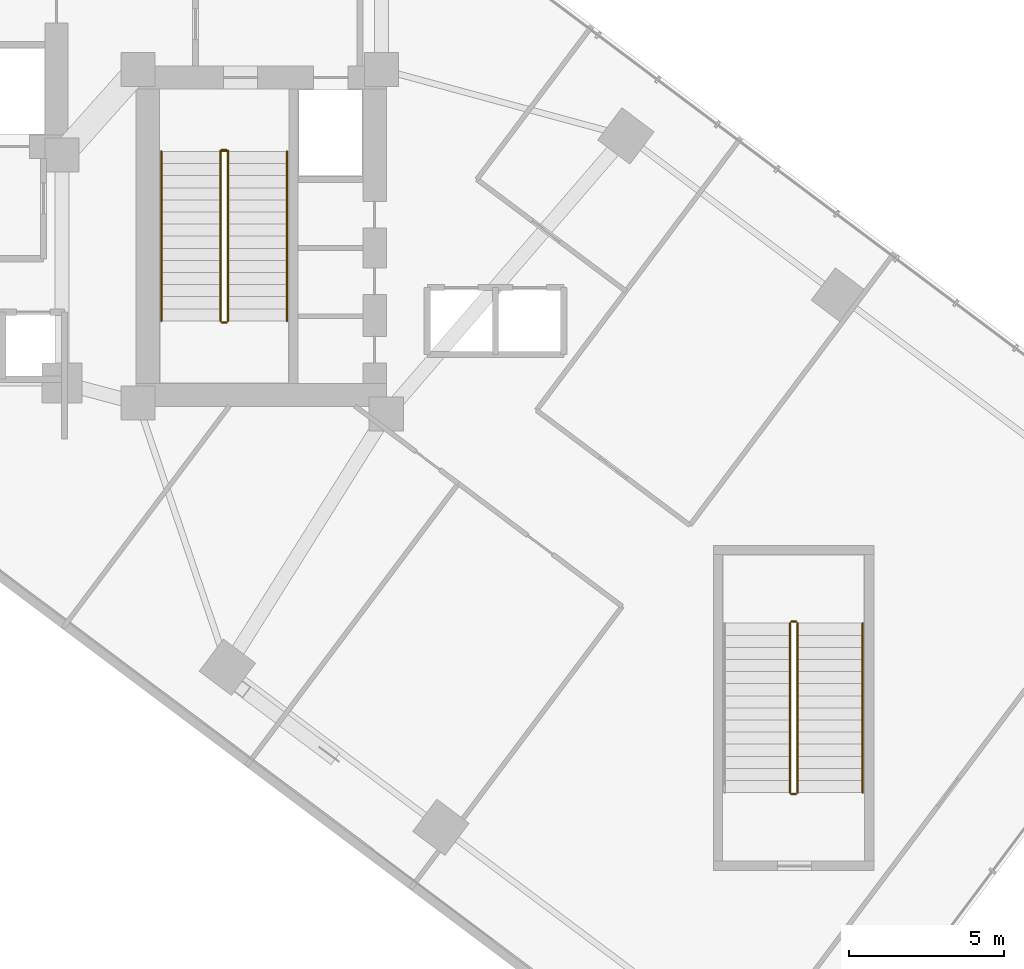
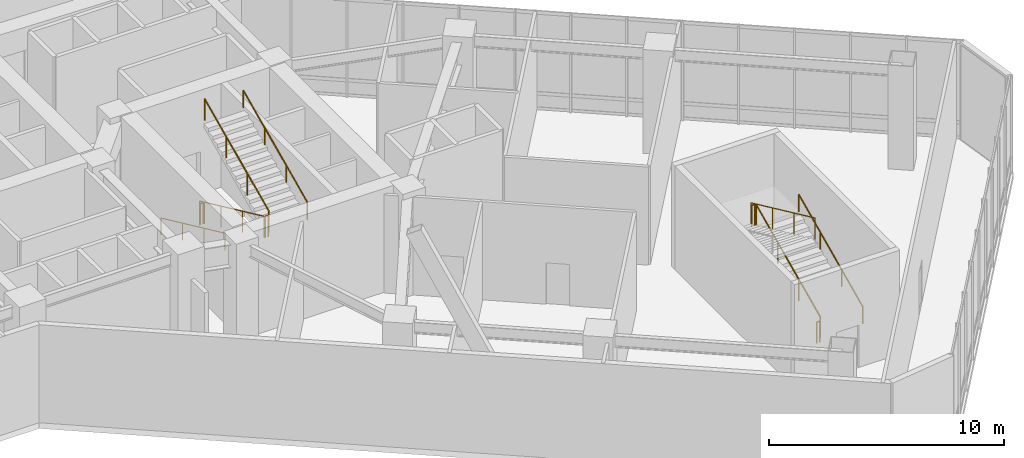
# One storey, part 33 of 35: 12 railings.
"""IFC4 building model written with IfcOpenShell, lengths in metres."""

import ifcopenshell
import ifcopenshell.guid

model = None  # the IFC model being written
_history = None  # IfcOwnerHistory: only IFC2X3 demands one
_inside = {}  # id of a spatial element -> (the spatial element, [elements in it])
_under = {}  # id of a project, library or spatial element -> (it, [spatial elements below it])
_declared = {}  # id of a project -> (the project, [libraries it declares])
_typed = {}  # id of a type object -> (the type object, [elements of that type])
_made_of = {}  # id of a material, layer set ... -> (it, [elements and type objects made of it])


def new_model(schema):
    """Start an empty IFC model of exactly this schema.

    Asked for "IFC4X3", IfcOpenShell would pick the latest addendum, in which some entities
    have other attributes; the version numbers below select the first issue.
    IFC2X3 requires an IfcOwnerHistory on every rooted entity: one is made here for all.
    """
    global model, _history
    if schema == "IFC4X3":
        model = ifcopenshell.file(schema_version=(4, 3, 0, 0))
    else:
        model = ifcopenshell.file(schema=schema)
    _inside.clear()
    _under.clear()
    _declared.clear()
    _typed.clear()
    _made_of.clear()
    _history = None
    if model.schema == "IFC2X3":
        org = make("IfcOrganization", Name="unknown")
        user = make(
            "IfcPersonAndOrganization",
            ThePerson=make("IfcPerson", FamilyName="unknown"),
            TheOrganization=org,
        )
        app = make(
            "IfcApplication",
            ApplicationDeveloper=org,
            Version="unknown",
            ApplicationFullName="unknown",
            ApplicationIdentifier="unknown",
        )
        _history = make(
            "IfcOwnerHistory",
            OwningUser=user,
            OwningApplication=app,
            ChangeAction="ADDED",
            CreationDate=0,
        )
    return model


def make(cls, **values):
    """One entity of the class cls with the attributes given. An attribute that is None is left unset."""
    return model.create_entity(
        cls, **{name: value for name, value in values.items() if value is not None}
    )


def rooted(cls, **values):
    """An entity with a GlobalId (a new one), such as an element, a storey or a relation."""
    return make(cls, GlobalId=ifcopenshell.guid.new(), OwnerHistory=_history, **values)


def si_unit(unit_type, name, prefix=None):
    """IfcSIUnit, for example si_unit("LENGTHUNIT", "METRE", prefix="MILLI")."""
    return make("IfcSIUnit", UnitType=unit_type, Prefix=prefix, Name=name)


def assignment(units):
    """IfcUnitAssignment: the units of a project."""
    return None if units is None else make("IfcUnitAssignment", Units=units)


def point(xyz):
    """IfcCartesianPoint."""
    return None if xyz is None else make("IfcCartesianPoint", Coordinates=xyz)


def direction(xyz):
    """IfcDirection."""
    return None if xyz is None else make("IfcDirection", DirectionRatios=xyz)


def frame(location, z_axis=None, x_axis=None):
    """IfcAxis2Placement3D, a coordinate frame: its origin and axes. An axis left out is left unset."""
    return make(
        "IfcAxis2Placement3D",
        Location=point(location),
        Axis=direction(z_axis),
        RefDirection=direction(x_axis),
    )


def frame_2d(location, x_axis=None):
    """IfcAxis2Placement2D, a coordinate frame in the plane: its origin and x axis."""
    return make(
        "IfcAxis2Placement2D", Location=point(location), RefDirection=direction(x_axis)
    )


def origin():
    """The frame at (0, 0, 0) with its axes left unset."""
    return frame((0.0, 0.0, 0.0))


def origin_2d():
    """The frame at (0, 0) in the plane with its x axis left unset."""
    return frame_2d((0.0, 0.0))


def place(relative_to, where):
    """IfcLocalPlacement: puts the frame where relative to a parent placement (None: the world)."""
    return make(
        "IfcLocalPlacement", PlacementRelTo=relative_to, RelativePlacement=where
    )


def context(
    kind, dimensions, precision=None, world=None, true_north=None, identifier=None
):
    """IfcGeometricRepresentationContext, for example the 3D "Model" context."""
    return make(
        "IfcGeometricRepresentationContext",
        ContextIdentifier=identifier,
        ContextType=kind,
        CoordinateSpaceDimension=dimensions,
        Precision=precision,
        WorldCoordinateSystem=world,
        TrueNorth=true_north,
    )


def subcontext(parent, identifier, kind, view, scale=None):
    """IfcGeometricRepresentationSubContext, for example "Body" below "Model"."""
    return make(
        "IfcGeometricRepresentationSubContext",
        ContextIdentifier=identifier,
        ContextType=kind,
        ParentContext=parent,
        TargetScale=scale,
        TargetView=view,
    )


def project(units=None, contexts=None):
    """IfcProject with its units and contexts."""
    return rooted(
        "IfcProject",
        Name="project",
        RepresentationContexts=contexts,
        UnitsInContext=assignment(units),
    )


def spatial(cls, under=None, at=None, **own):
    """A site, building, storey or space (cls), placed at a placement, below another one or the project."""
    s = rooted(cls, ObjectPlacement=at, **own)
    if under is not None:
        _under.setdefault(under.id(), (under, []))[1].append(s)
    return s


def profile(cls, at=None, kind="AREA", **sizes):
    """A parametric profile (cls). Its sizes go by their IFC names, for example OverallWidth=200.0."""
    return make(cls, ProfileType=kind, Position=at, **sizes)


def circle(**sizes):
    """IfcCircleProfileDef."""
    return profile("IfcCircleProfileDef", **sizes)


def extrude(swept, where, along, depth):
    """IfcExtrudedAreaSolid: the profile swept, set in the frame where, extruded along a direction by depth."""
    return make(
        "IfcExtrudedAreaSolid",
        SweptArea=swept,
        Position=where,
        ExtrudedDirection=direction(along),
        Depth=depth,
    )


def shape(context_of_items, identifier, shape_type, items):
    """IfcShapeRepresentation: the items that make up one representation, for example the "Body"."""
    return make(
        "IfcShapeRepresentation",
        ContextOfItems=context_of_items,
        RepresentationIdentifier=identifier,
        RepresentationType=shape_type,
        Items=items,
    )


def material(Name=None, Category=None):
    """IfcMaterial."""
    return make("IfcMaterial", Name=Name, Category=Category)


def layer(
    of_material, thickness, ventilated=None, Name=None, Category=None, Priority=None
):
    """IfcMaterialLayer: one layer of a wall or slab, of a material (None: an air gap)."""
    return make(
        "IfcMaterialLayer",
        Material=of_material,
        LayerThickness=thickness,
        IsVentilated=ventilated,
        Name=Name,
        Category=Category,
        Priority=Priority,
    )


def layer_set(layers, Name=None):
    """IfcMaterialLayerSet."""
    return make("IfcMaterialLayerSet", MaterialLayers=layers, LayerSetName=Name)


def made_of(thing, what):
    """Note that an element or type object is made of a material, layer set ...; save() writes the relation."""
    if what is not None:
        _made_of.setdefault(what.id(), (what, []))[1].append(thing)
    return thing


def type_object(cls, material=None, **own):
    """A type object (cls), such as IfcWallType, which elements share."""
    return made_of(rooted(cls, **own), material)


def element(
    cls,
    number,
    at=None,
    inside=None,
    cuts=None,
    type_object=None,
    material=None,
    context=None,
    identifier="Body",
    shape_type=None,
    held_by="IfcProductDefinitionShape",
    body=None,
    shapes=None,
    **own,
):
    """One element of the class cls, such as IfcWall. Its Tag is "e" and its number.

    at: its placement. inside: the storey or other place that contains it. cuts: it is an
    opening in that element (IfcRelVoidsElement). A single representation is given by context,
    identifier, shape_type and body (its items); several are given by shapes. held_by: the class
    of the entity that holds the representations. save() writes the other relations.
    """
    e = rooted(cls, Tag="e%d" % number, ObjectPlacement=at, **own)
    if body is not None:
        shapes = [shape(context, identifier, shape_type, body)]
    if shapes is not None:
        e.Representation = make(held_by, Representations=shapes)
    if inside is not None:
        _inside.setdefault(inside.id(), (inside, []))[1].append(e)
    if cuts is not None:
        rooted(
            "IfcRelVoidsElement", RelatingBuildingElement=cuts, RelatedOpeningElement=e
        )
    if type_object is not None:
        _typed.setdefault(type_object.id(), (type_object, []))[1].append(e)
    return made_of(e, material)


def aggregate(whole, parts):
    """IfcRelAggregates: a whole, such as a stair, and the parts it consists of."""
    return rooted("IfcRelAggregates", RelatingObject=whole, RelatedObjects=parts)


def save(model, path):
    """Write the relations noted so far, then the file.

    IfcRelAggregates (storeys below a building ...), IfcRelContainedInSpatialStructure (elements
    in a storey), IfcRelDefinesByType, IfcRelAssociatesMaterial and IfcRelDeclares: one each for
    every whole, place, type object, material and project.
    """
    for whole, parts in _under.values():
        aggregate(whole, parts)
    for where, things in _inside.values():
        rooted(
            "IfcRelContainedInSpatialStructure",
            RelatedElements=things,
            RelatingStructure=where,
        )
    for kind, things in _typed.values():
        rooted("IfcRelDefinesByType", RelatedObjects=things, RelatingType=kind)
    for what, things in _made_of.values():
        rooted("IfcRelAssociatesMaterial", RelatedObjects=things, RelatingMaterial=what)
    for by, libraries in _declared.values():
        rooted("IfcRelDeclares", RelatingContext=by, RelatedDefinitions=libraries)
    model.write(path)


model = new_model("IFC4")

# Units and contexts
model_context = context("Model", 3, precision=1e-05, world=origin(), true_north=direction((0.0, 1.0)))
body_context = subcontext(model_context, "Body", "Model", "MODEL_VIEW")
ifc_project = project(units=[si_unit("LENGTHUNIT", "METRE"), si_unit("AREAUNIT", "SQUARE_METRE"), si_unit("VOLUMEUNIT", "CUBIC_METRE"), si_unit("PLANEANGLEUNIT", "RADIAN"), si_unit("MASSUNIT", "GRAM", prefix="KILO")], contexts=[model_context])

# Site, building, storey
site_placement = place(None, origin())
site = spatial("IfcSite", under=ifc_project, at=site_placement, CompositionType="ELEMENT")
building_placement = place(site_placement, origin())
building = spatial("IfcBuilding", under=site, at=building_placement, Name="Hatsunagi Terrace Concourse", CompositionType="ELEMENT")
storey_placement = place(building_placement, frame((0.0, 0.0, 10.800048828125)))
storey = spatial("IfcBuildingStorey", under=building, at=storey_placement, Name="L03", CompositionType="ELEMENT", Elevation=10.800048828125)

# Railings
ifc_material_1 = material(Name="Stainless steel", Category="steel")
ifc_layer_1 = layer(ifc_material_1, 0.050048828125)
ifc_layer_set_1 = layer_set([ifc_layer_1], Name="StairPitchHandrail_Podium2200")
railing_type_1 = type_object("IfcRailingType", Name="StairPitchHandrail_Podium2200", PredefinedType="HANDRAIL", material=ifc_layer_set_1)
railing_1_placement = place(storey_placement, frame((59.14990234375, 12.0, 0.179931640625)))
element("IfcRailing", 1, at=railing_1_placement, inside=storey, type_object=railing_type_1, Name="L03 ST-P2 stair handrail 1", PredefinedType="HANDRAIL", context=body_context, shape_type="SweptSolid", body=[
    extrude(circle(Radius=0.02392578125, at=origin_2d()), frame((0.0, 0.0, 0.8759765625), z_axis=(0.0, 0.907957007956, 0.419063326602), x_axis=(-1.0, 0.0, 0.0)), (0.0, 0.0, 1.0), 6.013427734375),
    extrude(circle(Radius=0.02099609375, at=origin_2d()), origin(), (0.0, 0.0, 1.0), 0.851806640625),
    extrude(circle(Radius=0.02099609375, at=origin_2d()), frame((0.0, 1.820068359375, 0.840087890625)), (0.0, 0.0, 1.0), 0.851806640625),
    extrude(circle(Radius=0.02099609375, at=origin_2d()), frame((0.0, 3.639892578125, 1.679931640625)), (0.0, 0.0, 1.0), 0.851806640625),
    extrude(circle(Radius=0.02099609375, at=origin_2d()), frame((0.0, 5.4599609375, 2.52001953125)), (0.0, 0.0, 1.0), 0.851806640625),
])
ifc_material_2 = material(Name="Stainless steel", Category="steel")
ifc_layer_2 = layer(ifc_material_2, 0.044921875)
ifc_layer_set_2 = layer_set([ifc_layer_2], Name="StairPitchHandrail_Tower2000")
railing_type_2 = type_object("IfcRailingType", Name="StairPitchHandrail_Tower2000", PredefinedType="HANDRAIL", material=ifc_layer_set_2)
railing_2_placement = place(storey_placement, frame((36.550048828125, 32.659912109375, 0.179931640625)))
element("IfcRailing", 2, at=railing_2_placement, inside=storey, type_object=railing_type_2, Name="L03 ST-B stair handrail 1", PredefinedType="HANDRAIL", context=body_context, shape_type="SweptSolid", body=[
    extrude(circle(Radius=0.02392578125, at=origin_2d()), frame((0.0, 0.0, 0.8759765625), z_axis=(0.0, -0.907957007956, 0.419063326602), x_axis=(1.0, 0.0, 0.0)), (0.0, 0.0, 1.0), 6.013427734375),
    extrude(circle(Radius=0.02099609375, at=origin_2d()), origin(), (0.0, 0.0, 1.0), 0.851806640625),
    extrude(circle(Radius=0.02099609375, at=origin_2d()), frame((0.0, -1.820068359375, 0.840087890625)), (0.0, 0.0, 1.0), 0.851806640625),
    extrude(circle(Radius=0.02099609375, at=origin_2d()), frame((0.0, -3.639892578125, 1.679931640625)), (0.0, 0.0, 1.0), 0.851806640625),
    extrude(circle(Radius=0.02099609375, at=origin_2d()), frame((0.0, -5.4599609375, 2.52001953125)), (0.0, 0.0, 1.0), 0.851806640625),
])
railing_3_placement = place(storey_placement, frame((40.60009765625, 27.199951171875, 2.8798828125)))
element("IfcRailing", 3, at=railing_3_placement, inside=storey, type_object=railing_type_2, Name="L03 ST-B stair handrail 2", PredefinedType="HANDRAIL", context=body_context, shape_type="SweptSolid", body=[
    extrude(circle(Radius=0.02392578125, at=origin_2d()), frame((0.0, 0.0, 0.8759765625), z_axis=(0.0, 0.907957007956, 0.419063326602), x_axis=(-1.0, 0.0, 0.0)), (0.0, 0.0, 1.0), 6.013427734375),
    extrude(circle(Radius=0.02099609375, at=origin_2d()), origin(), (0.0, 0.0, 1.0), 0.851806640625),
    extrude(circle(Radius=0.02099609375, at=origin_2d()), frame((0.0, 1.820068359375, 0.840087890625)), (0.0, 0.0, 1.0), 0.851806640625),
    extrude(circle(Radius=0.02099609375, at=origin_2d()), frame((0.0, 3.639892578125, 1.679931640625)), (0.0, 0.0, 1.0), 0.851806640625),
    extrude(circle(Radius=0.02099609375, at=origin_2d()), frame((0.0, 5.4599609375, 2.52001953125)), (0.0, 0.0, 1.0), 0.851806640625),
])
ifc_material_3 = material(Name="Stainless steel", Category="steel")
ifc_layer_3 = layer(ifc_material_3, 0.06494140625)
ifc_layer_set_3 = layer_set([ifc_layer_3], Name="StairWellGuard_Podium2200")
railing_type_3 = type_object("IfcRailingType", Name="StairWellGuard_Podium2200", PredefinedType="BALUSTRADE", material=ifc_layer_set_3)
railing_4_placement = place(storey_placement, frame((57.050048828125, 12.0, 0.179931640625)))
element("IfcRailing", 4, at=railing_4_placement, inside=storey, type_object=railing_type_3, Name="L03 ST-P2 stair guard 1", PredefinedType="BALUSTRADE", context=body_context, shape_type="SweptSolid", body=[
    extrude(circle(Radius=0.02392578125, at=origin_2d()), frame((0.0, 0.0, 1.09619140625), z_axis=(0.0, 0.907957007956, 0.419063326602), x_axis=(-1.0, 0.0, 0.0)), (0.0, 0.0, 1.0), 6.013427734375),
    extrude(circle(Radius=0.02099609375, at=origin_2d()), origin(), (0.0, 0.0, 1.0), 1.072021484375),
    extrude(circle(Radius=0.02099609375, at=origin_2d()), frame((0.0, 1.820068359375, 0.840087890625)), (0.0, 0.0, 1.0), 1.072021484375),
    extrude(circle(Radius=0.02099609375, at=origin_2d()), frame((0.0, 3.639892578125, 1.679931640625)), (0.0, 0.0, 1.0), 1.072021484375),
    extrude(circle(Radius=0.02099609375, at=origin_2d()), frame((0.0, 5.4599609375, 2.52001953125)), (0.0, 0.0, 1.0), 1.072021484375),
])
railing_5_placement = place(storey_placement, frame((57.0, 17.510009765625, 2.699951171875)))
element("IfcRailing", 5, at=railing_5_placement, inside=storey, type_object=railing_type_3, Name="L03 ST-P2 stair guard 2", PredefinedType="BALUSTRADE", context=body_context, shape_type="SweptSolid", body=[
    extrude(circle(Radius=0.02392578125, at=origin_2d()), frame((0.0, 0.0, 1.09619140625), z_axis=(-1.0, 0.0, 0.0), x_axis=(0.0, -1.0, 0.0)), (0.0, 0.0, 1.0), 0.14990234375),
    extrude(circle(Radius=0.02099609375, at=origin_2d()), origin(), (0.0, 0.0, 1.0), 1.072021484375),
    extrude(circle(Radius=0.02099609375, at=origin_2d()), frame((-0.14990234375, 0.0, 0.0)), (0.0, 0.0, 1.0), 1.072021484375),
])
railing_6_placement = place(storey_placement, frame((56.800048828125, 17.4599609375, 2.8798828125)))
element("IfcRailing", 6, at=railing_6_placement, inside=storey, type_object=railing_type_3, Name="L03 ST-P2 stair guard 3", PredefinedType="BALUSTRADE", context=body_context, shape_type="SweptSolid", body=[
    extrude(circle(Radius=0.02392578125, at=origin_2d()), frame((0.0, 0.0, 1.09619140625), z_axis=(0.0, -0.907957007956, 0.419063326602), x_axis=(1.0, 0.0, 0.0)), (0.0, 0.0, 1.0), 6.013427734375),
    extrude(circle(Radius=0.02099609375, at=origin_2d()), origin(), (0.0, 0.0, 1.0), 1.072021484375),
    extrude(circle(Radius=0.02099609375, at=origin_2d()), frame((0.0, -1.820068359375, 0.840087890625)), (0.0, 0.0, 1.0), 1.072021484375),
    extrude(circle(Radius=0.02099609375, at=origin_2d()), frame((0.0, -3.639892578125, 1.679931640625)), (0.0, 0.0, 1.0), 1.072021484375),
    extrude(circle(Radius=0.02099609375, at=origin_2d()), frame((0.0, -5.4599609375, 2.52001953125)), (0.0, 0.0, 1.0), 1.072021484375),
])
railing_7_placement = place(storey_placement, frame((57.0, 11.949951171875, 0.0)))
element("IfcRailing", 7, at=railing_7_placement, inside=storey, type_object=railing_type_3, Name="L03 ST-P2 stair guard 4", PredefinedType="BALUSTRADE", context=body_context, shape_type="SweptSolid", body=[
    extrude(circle(Radius=0.02392578125, at=origin_2d()), frame((0.0, 0.0, 1.09619140625), z_axis=(-1.0, 0.0, 0.0), x_axis=(0.0, -1.0, 0.0)), (0.0, 0.0, 1.0), 0.14990234375),
    extrude(circle(Radius=0.02099609375, at=origin_2d()), origin(), (0.0, 0.0, 1.0), 1.072021484375),
    extrude(circle(Radius=0.02099609375, at=origin_2d()), frame((-0.14990234375, 0.0, 0.0)), (0.0, 0.0, 1.0), 1.072021484375),
])
ifc_material_4 = material(Name="Stainless steel", Category="steel")
ifc_layer_4 = layer(ifc_material_4, 0.06005859375)
ifc_layer_set_4 = layer_set([ifc_layer_4], Name="StairWellGuard_Tower2000")
railing_type_4 = type_object("IfcRailingType", Name="StairWellGuard_Tower2000", PredefinedType="BALUSTRADE", material=ifc_layer_set_4)
railing_8_placement = place(storey_placement, frame((38.449951171875, 32.659912109375, 0.179931640625)))
element("IfcRailing", 8, at=railing_8_placement, inside=storey, type_object=railing_type_4, Name="L03 ST-B stair guard 1", PredefinedType="BALUSTRADE", context=body_context, shape_type="SweptSolid", body=[
    extrude(circle(Radius=0.02392578125, at=origin_2d()), frame((0.0, 0.0, 1.09619140625), z_axis=(0.0, -0.907957007956, 0.419063326602), x_axis=(1.0, 0.0, 0.0)), (0.0, 0.0, 1.0), 6.013427734375),
    extrude(circle(Radius=0.02099609375, at=origin_2d()), origin(), (0.0, 0.0, 1.0), 1.072021484375),
    extrude(circle(Radius=0.02099609375, at=origin_2d()), frame((0.0, -1.820068359375, 0.840087890625)), (0.0, 0.0, 1.0), 1.072021484375),
    extrude(circle(Radius=0.02099609375, at=origin_2d()), frame((0.0, -3.639892578125, 1.679931640625)), (0.0, 0.0, 1.0), 1.072021484375),
    extrude(circle(Radius=0.02099609375, at=origin_2d()), frame((0.0, -5.4599609375, 2.52001953125)), (0.0, 0.0, 1.0), 1.072021484375),
])
railing_9_placement = place(storey_placement, frame((38.5, 27.14990234375, 2.699951171875)))
element("IfcRailing", 9, at=railing_9_placement, inside=storey, type_object=railing_type_4, Name="L03 ST-B stair guard 2", PredefinedType="BALUSTRADE", context=body_context, shape_type="SweptSolid", body=[
    extrude(circle(Radius=0.02392578125, at=origin_2d()), frame((0.0, 0.0, 1.09619140625), z_axis=(1.0, 0.0, 0.0), x_axis=(0.0, 1.0, 0.0)), (0.0, 0.0, 1.0), 0.14990234375),
    extrude(circle(Radius=0.02099609375, at=origin_2d()), origin(), (0.0, 0.0, 1.0), 1.072021484375),
    extrude(circle(Radius=0.02099609375, at=origin_2d()), frame((0.14990234375, 0.0, 0.0)), (0.0, 0.0, 1.0), 1.072021484375),
])
railing_10_placement = place(storey_placement, frame((38.699951171875, 27.199951171875, 2.8798828125)))
element("IfcRailing", 10, at=railing_10_placement, inside=storey, type_object=railing_type_4, Name="L03 ST-B stair guard 3", PredefinedType="BALUSTRADE", context=body_context, shape_type="SweptSolid", body=[
    extrude(circle(Radius=0.02392578125, at=origin_2d()), frame((0.0, 0.0, 1.09619140625), z_axis=(0.0, 0.907957007956, 0.419063326602), x_axis=(-1.0, 0.0, 0.0)), (0.0, 0.0, 1.0), 6.013427734375),
    extrude(circle(Radius=0.02099609375, at=origin_2d()), origin(), (0.0, 0.0, 1.0), 1.072021484375),
    extrude(circle(Radius=0.02099609375, at=origin_2d()), frame((0.0, 1.820068359375, 0.840087890625)), (0.0, 0.0, 1.0), 1.072021484375),
    extrude(circle(Radius=0.02099609375, at=origin_2d()), frame((0.0, 3.639892578125, 1.679931640625)), (0.0, 0.0, 1.0), 1.072021484375),
    extrude(circle(Radius=0.02099609375, at=origin_2d()), frame((0.0, 5.4599609375, 2.52001953125)), (0.0, 0.0, 1.0), 1.072021484375),
])
railing_11_placement = place(storey_placement, frame((38.5, 32.7099609375, 0.0)))
element("IfcRailing", 11, at=railing_11_placement, inside=storey, type_object=railing_type_4, Name="L03 ST-B stair guard 4", PredefinedType="BALUSTRADE", context=body_context, shape_type="SweptSolid", body=[
    extrude(circle(Radius=0.02392578125, at=origin_2d()), frame((0.0, 0.0, 1.09619140625), z_axis=(1.0, 0.0, 0.0), x_axis=(0.0, 1.0, 0.0)), (0.0, 0.0, 1.0), 0.14990234375),
    extrude(circle(Radius=0.02099609375, at=origin_2d()), origin(), (0.0, 0.0, 1.0), 1.072021484375),
    extrude(circle(Radius=0.02099609375, at=origin_2d()), frame((0.14990234375, 0.0, 0.0)), (0.0, 0.0, 1.0), 1.072021484375),
])
ifc_material_5 = material(Name="Stainless Steel SUS316 Post-and-Rail Guard", Category="steel")
ifc_layer_5 = layer(ifc_material_5, 0.080078125)
ifc_layer_set_5 = layer_set([ifc_layer_5], Name="TerracePlantedGuardRail_1200")
railing_type_5 = type_object("IfcRailingType", Name="TerracePlantedGuardRail_1200", PredefinedType="GUARDRAIL", material=ifc_layer_set_5)
railing_12_placement = place(storey_placement, frame((38.449951171875, 32.679931640625, 0.0)))
element("IfcRailing", 12, at=railing_12_placement, inside=storey, type_object=railing_type_5, Name="Stair ST-B Well Closure Guard L03", PredefinedType="GUARDRAIL", context=body_context, shape_type="SweptSolid", body=[
    extrude(circle(Radius=0.02392578125, at=origin_2d()), frame((0.0, 0.0, 1.09619140625), z_axis=(1.0, 0.0, 0.0), x_axis=(0.0, 1.0, 0.0)), (0.0, 0.0, 1.0), 0.25),
    extrude(circle(Radius=0.02099609375, at=origin_2d()), origin(), (0.0, 0.0, 1.0), 1.072021484375),
    extrude(circle(Radius=0.02099609375, at=origin_2d()), frame((0.25, 0.0, 0.0)), (0.0, 0.0, 1.0), 1.072021484375),
])

save(model, "model.ifc")
